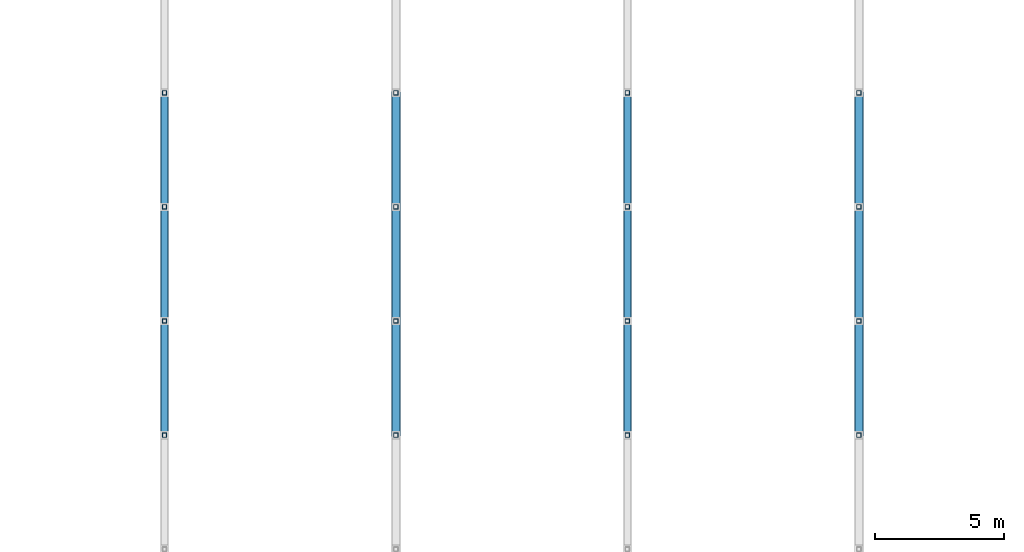
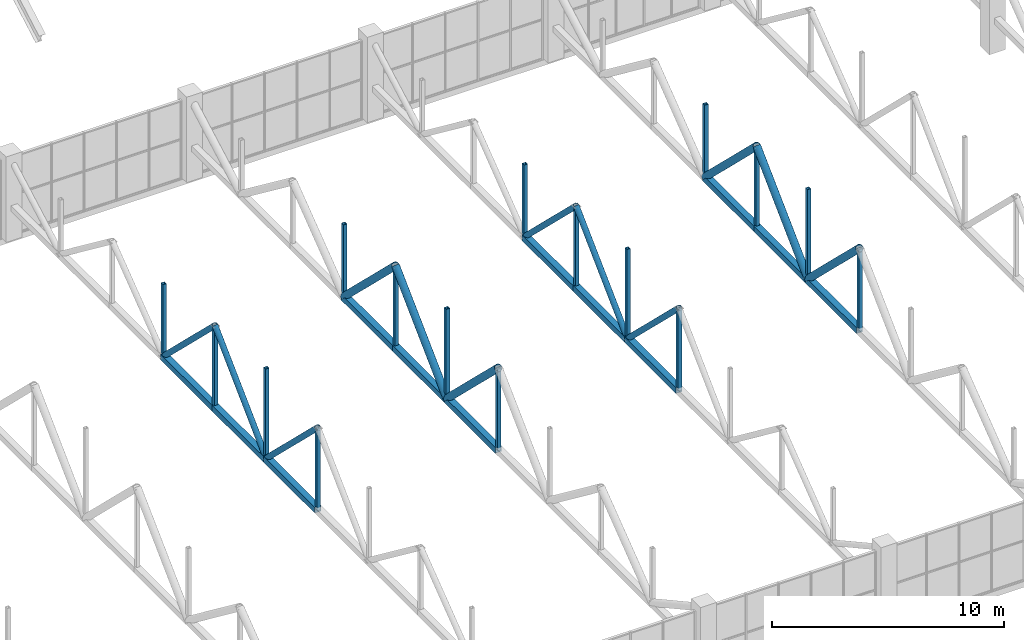
# One storey, part 55 of 103: 40 members.
"""IFC4 building model written with IfcOpenShell, lengths in metres."""

from ifc_helpers import new_model, si_unit, direction, frame, origin, origin_2d, place, context, subcontext, project, spatial, hollow_rectangle, hollow_circle, extrude, material, material_profile, profile_set, type_object, element, save


model = new_model("IFC4")

# Units and contexts
model_context = context("Model", 3, precision=1e-05, world=origin(), true_north=direction((0.0, 1.0)))
body_context = subcontext(model_context, "Body", "Model", "MODEL_VIEW")
ifc_project = project(units=[si_unit("LENGTHUNIT", "METRE"), si_unit("AREAUNIT", "SQUARE_METRE"), si_unit("VOLUMEUNIT", "CUBIC_METRE"), si_unit("PLANEANGLEUNIT", "RADIAN"), si_unit("MASSUNIT", "GRAM", prefix="KILO")], contexts=[model_context])

# Site, building, storey
site_placement = place(None, origin())
site = spatial("IfcSite", under=ifc_project, at=site_placement, CompositionType="ELEMENT")
building_placement = place(site_placement, origin())
building = spatial("IfcBuilding", under=site, at=building_placement, Name="Cazmaro Siding Exhibition Halls", CompositionType="ELEMENT")
storey_placement = place(building_placement, frame((0.0, 0.0, 16.5)))
storey = spatial("IfcBuildingStorey", under=building, at=storey_placement, Name="L03", CompositionType="ELEMENT", Elevation=16.5)

# Members
ifc_material_1 = material(Name="Steel ASTM A500 Grade C", Category="steel")
ifc_material_profile_1 = material_profile(ifc_material_1, hollow_rectangle(XDim=0.304931640625, YDim=0.304931640625, WallThickness=0.014892578125, at=origin_2d()), Name="HSS12X12X5/8")
ifc_profile_set_1 = profile_set([ifc_material_profile_1], Name="Steel ASTM A500 Grade C")
member_type_1 = type_object("IfcMemberType", Name="TC-02", PredefinedType="CHORD", material=ifc_profile_set_1)
for number, where, z_axis, x_axis, name in (
    (1, (162.0, 26.989990234375, 1.699951171875), (0.0, 1.0, 0.0), (-1.0, 0.0, 0.0), "Warren roof truss bottom chord TC-02 MEM-2705"),
    (2, (162.0, 31.425048828125, 1.699951171875), (0.0, 1.0, 0.0), (-1.0, 0.0, 0.0), "Warren roof truss bottom chord TC-02 MEM-2708"),
):
    element("IfcMember", number, at=place(storey_placement, frame(where, z_axis=z_axis, x_axis=x_axis)), inside=storey, type_object=member_type_1, Name=name, PredefinedType="CHORD", context=body_context, shape_type="SweptSolid", body=[
        extrude(hollow_rectangle(XDim=0.304931640625, YDim=0.304931640625, WallThickness=0.014892578125, at=origin_2d()), origin(), (0.0, 0.0, 1.0), 4.43505859375),
    ])
member_1_placement = place(storey_placement, frame((162.0, 35.860107421875, 1.699951171875), z_axis=(0.0, 1.0, 0.0), x_axis=(-1.0, 0.0, 0.0)))
element("IfcMember", 3, at=member_1_placement, inside=storey, type_object=member_type_1, Name="Warren roof truss bottom chord TC-02 MEM-2711", PredefinedType="CHORD", context=body_context, shape_type="SweptSolid", body=[
    extrude(hollow_rectangle(XDim=0.304931640625, YDim=0.304931640625, WallThickness=0.014892578125, at=origin_2d()), origin(), (0.0, 0.0, 1.0), 4.434814453125),
])
for number, where, z_axis, x_axis, name in (
    (4, (171.0, 26.989990234375, 1.699951171875), (0.0, 1.0, 0.0), (-1.0, 0.0, 0.0), "Warren roof truss bottom chord TC-02 MEM-2744"),
    (5, (171.0, 31.425048828125, 1.699951171875), (0.0, 1.0, 0.0), (-1.0, 0.0, 0.0), "Warren roof truss bottom chord TC-02 MEM-2747"),
):
    element("IfcMember", number, at=place(storey_placement, frame(where, z_axis=z_axis, x_axis=x_axis)), inside=storey, type_object=member_type_1, Name=name, PredefinedType="CHORD", context=body_context, shape_type="SweptSolid", body=[
        extrude(hollow_rectangle(XDim=0.304931640625, YDim=0.304931640625, WallThickness=0.014892578125, at=origin_2d()), origin(), (0.0, 0.0, 1.0), 4.43505859375),
    ])
member_2_placement = place(storey_placement, frame((171.0, 35.860107421875, 1.699951171875), z_axis=(0.0, 1.0, 0.0), x_axis=(-1.0, 0.0, 0.0)))
element("IfcMember", 6, at=member_2_placement, inside=storey, type_object=member_type_1, Name="Warren roof truss bottom chord TC-02 MEM-2750", PredefinedType="CHORD", context=body_context, shape_type="SweptSolid", body=[
    extrude(hollow_rectangle(XDim=0.304931640625, YDim=0.304931640625, WallThickness=0.014892578125, at=origin_2d()), origin(), (0.0, 0.0, 1.0), 4.434814453125),
])
for number, where, z_axis, x_axis, name in (
    (7, (180.0, 26.989990234375, 1.699951171875), (0.0, 1.0, 0.0), (-1.0, 0.0, 0.0), "Warren roof truss bottom chord TC-02 MEM-2783"),
    (8, (180.0, 31.425048828125, 1.699951171875), (0.0, 1.0, 0.0), (-1.0, 0.0, 0.0), "Warren roof truss bottom chord TC-02 MEM-2786"),
):
    element("IfcMember", number, at=place(storey_placement, frame(where, z_axis=z_axis, x_axis=x_axis)), inside=storey, type_object=member_type_1, Name=name, PredefinedType="CHORD", context=body_context, shape_type="SweptSolid", body=[
        extrude(hollow_rectangle(XDim=0.304931640625, YDim=0.304931640625, WallThickness=0.014892578125, at=origin_2d()), origin(), (0.0, 0.0, 1.0), 4.43505859375),
    ])
member_3_placement = place(storey_placement, frame((180.0, 35.860107421875, 1.699951171875), z_axis=(0.0, 1.0, 0.0), x_axis=(-1.0, 0.0, 0.0)))
element("IfcMember", 9, at=member_3_placement, inside=storey, type_object=member_type_1, Name="Warren roof truss bottom chord TC-02 MEM-2789", PredefinedType="CHORD", context=body_context, shape_type="SweptSolid", body=[
    extrude(hollow_rectangle(XDim=0.304931640625, YDim=0.304931640625, WallThickness=0.014892578125, at=origin_2d()), origin(), (0.0, 0.0, 1.0), 4.434814453125),
])
for number, where, z_axis, x_axis, name in (
    (10, (189.0, 26.989990234375, 1.699951171875), (0.0, 1.0, 0.0), (-1.0, 0.0, 0.0), "Warren roof truss bottom chord TC-02 MEM-2822"),
    (11, (189.0, 31.425048828125, 1.699951171875), (0.0, 1.0, 0.0), (-1.0, 0.0, 0.0), "Warren roof truss bottom chord TC-02 MEM-2825"),
):
    element("IfcMember", number, at=place(storey_placement, frame(where, z_axis=z_axis, x_axis=x_axis)), inside=storey, type_object=member_type_1, Name=name, PredefinedType="CHORD", context=body_context, shape_type="SweptSolid", body=[
        extrude(hollow_rectangle(XDim=0.304931640625, YDim=0.304931640625, WallThickness=0.014892578125, at=origin_2d()), origin(), (0.0, 0.0, 1.0), 4.43505859375),
    ])
member_4_placement = place(storey_placement, frame((189.0, 35.860107421875, 1.699951171875), z_axis=(0.0, 1.0, 0.0), x_axis=(-1.0, 0.0, 0.0)))
element("IfcMember", 12, at=member_4_placement, inside=storey, type_object=member_type_1, Name="Warren roof truss bottom chord TC-02 MEM-2828", PredefinedType="CHORD", context=body_context, shape_type="SweptSolid", body=[
    extrude(hollow_rectangle(XDim=0.304931640625, YDim=0.304931640625, WallThickness=0.014892578125, at=origin_2d()), origin(), (0.0, 0.0, 1.0), 4.434814453125),
])
ifc_material_2 = material(Name="Steel ASTM A500 Grade C", Category="steel")
ifc_material_profile_2 = material_profile(ifc_material_2, hollow_rectangle(XDim=0.177978515625, YDim=0.177978515625, WallThickness=0.011962890625, at=origin_2d()), Name="HSS7X7X1/2")
ifc_profile_set_2 = profile_set([ifc_material_profile_2], Name="Steel ASTM A500 Grade C")
member_type_2 = type_object("IfcMemberType", Name="TP-02", PredefinedType="POST", material=ifc_profile_set_2)
member_5_placement = place(storey_placement, frame((162.0, 26.989990234375, 1.699951171875), z_axis=(0.0, 0.0, 1.0), x_axis=(1.0, 0.0, 0.0)))
element("IfcMember", 13, at=member_5_placement, inside=storey, type_object=member_type_2, Name="Warren roof truss vertical TP-02 MEM-2725", PredefinedType="POST", context=body_context, shape_type="SweptSolid", body=[
    extrude(hollow_rectangle(XDim=0.177978515625, YDim=0.177978515625, WallThickness=0.011962890625, at=origin_2d()), origin(), (0.0, 0.0, 1.0), 4.304931640625),
])
member_6_placement = place(storey_placement, frame((162.0, 31.425048828125, 1.699951171875), z_axis=(0.0, 0.0, 1.0), x_axis=(1.0, 0.0, 0.0)))
element("IfcMember", 14, at=member_6_placement, inside=storey, type_object=member_type_2, Name="Warren roof truss vertical TP-02 MEM-2726", PredefinedType="POST", context=body_context, shape_type="SweptSolid", body=[
    extrude(hollow_rectangle(XDim=0.177978515625, YDim=0.177978515625, WallThickness=0.011962890625, at=origin_2d()), origin(), (0.0, 0.0, 1.0), 4.77099609375),
])
member_7_placement = place(storey_placement, frame((162.0, 35.860107421875, 1.699951171875), z_axis=(0.0, 0.0, 1.0), x_axis=(1.0, 0.0, 0.0)))
element("IfcMember", 15, at=member_7_placement, inside=storey, type_object=member_type_2, Name="Warren roof truss vertical TP-02 MEM-2727", PredefinedType="POST", context=body_context, shape_type="SweptSolid", body=[
    extrude(hollow_rectangle(XDim=0.177978515625, YDim=0.177978515625, WallThickness=0.011962890625, at=origin_2d()), origin(), (0.0, 0.0, 1.0), 4.304931640625),
])
member_8_placement = place(storey_placement, frame((162.0, 40.294921875, 1.699951171875), z_axis=(0.0, 0.0, 1.0), x_axis=(1.0, 0.0, 0.0)))
element("IfcMember", 16, at=member_8_placement, inside=storey, type_object=member_type_2, Name="Warren roof truss vertical TP-02 MEM-2728", PredefinedType="POST", context=body_context, shape_type="SweptSolid", body=[
    extrude(hollow_rectangle(XDim=0.177978515625, YDim=0.177978515625, WallThickness=0.011962890625, at=origin_2d()), origin(), (0.0, 0.0, 1.0), 3.839111328125),
])
member_9_placement = place(storey_placement, frame((171.0, 26.989990234375, 1.699951171875), z_axis=(0.0, 0.0, 1.0), x_axis=(1.0, 0.0, 0.0)))
element("IfcMember", 17, at=member_9_placement, inside=storey, type_object=member_type_2, Name="Warren roof truss vertical TP-02 MEM-2764", PredefinedType="POST", context=body_context, shape_type="SweptSolid", body=[
    extrude(hollow_rectangle(XDim=0.177978515625, YDim=0.177978515625, WallThickness=0.011962890625, at=origin_2d()), origin(), (0.0, 0.0, 1.0), 4.304931640625),
])
member_10_placement = place(storey_placement, frame((171.0, 31.425048828125, 1.699951171875), z_axis=(0.0, 0.0, 1.0), x_axis=(1.0, 0.0, 0.0)))
element("IfcMember", 18, at=member_10_placement, inside=storey, type_object=member_type_2, Name="Warren roof truss vertical TP-02 MEM-2765", PredefinedType="POST", context=body_context, shape_type="SweptSolid", body=[
    extrude(hollow_rectangle(XDim=0.177978515625, YDim=0.177978515625, WallThickness=0.011962890625, at=origin_2d()), origin(), (0.0, 0.0, 1.0), 4.77099609375),
])
member_11_placement = place(storey_placement, frame((171.0, 35.860107421875, 1.699951171875), z_axis=(0.0, 0.0, 1.0), x_axis=(1.0, 0.0, 0.0)))
element("IfcMember", 19, at=member_11_placement, inside=storey, type_object=member_type_2, Name="Warren roof truss vertical TP-02 MEM-2766", PredefinedType="POST", context=body_context, shape_type="SweptSolid", body=[
    extrude(hollow_rectangle(XDim=0.177978515625, YDim=0.177978515625, WallThickness=0.011962890625, at=origin_2d()), origin(), (0.0, 0.0, 1.0), 4.304931640625),
])
member_12_placement = place(storey_placement, frame((171.0, 40.294921875, 1.699951171875), z_axis=(0.0, 0.0, 1.0), x_axis=(1.0, 0.0, 0.0)))
element("IfcMember", 20, at=member_12_placement, inside=storey, type_object=member_type_2, Name="Warren roof truss vertical TP-02 MEM-2767", PredefinedType="POST", context=body_context, shape_type="SweptSolid", body=[
    extrude(hollow_rectangle(XDim=0.177978515625, YDim=0.177978515625, WallThickness=0.011962890625, at=origin_2d()), origin(), (0.0, 0.0, 1.0), 3.839111328125),
])
member_13_placement = place(storey_placement, frame((180.0, 26.989990234375, 1.699951171875), z_axis=(0.0, 0.0, 1.0), x_axis=(1.0, 0.0, 0.0)))
element("IfcMember", 21, at=member_13_placement, inside=storey, type_object=member_type_2, Name="Warren roof truss vertical TP-02 MEM-2803", PredefinedType="POST", context=body_context, shape_type="SweptSolid", body=[
    extrude(hollow_rectangle(XDim=0.177978515625, YDim=0.177978515625, WallThickness=0.011962890625, at=origin_2d()), origin(), (0.0, 0.0, 1.0), 4.304931640625),
])
member_14_placement = place(storey_placement, frame((180.0, 31.425048828125, 1.699951171875), z_axis=(0.0, 0.0, 1.0), x_axis=(1.0, 0.0, 0.0)))
element("IfcMember", 22, at=member_14_placement, inside=storey, type_object=member_type_2, Name="Warren roof truss vertical TP-02 MEM-2804", PredefinedType="POST", context=body_context, shape_type="SweptSolid", body=[
    extrude(hollow_rectangle(XDim=0.177978515625, YDim=0.177978515625, WallThickness=0.011962890625, at=origin_2d()), origin(), (0.0, 0.0, 1.0), 4.77099609375),
])
member_15_placement = place(storey_placement, frame((180.0, 35.860107421875, 1.699951171875), z_axis=(0.0, 0.0, 1.0), x_axis=(1.0, 0.0, 0.0)))
element("IfcMember", 23, at=member_15_placement, inside=storey, type_object=member_type_2, Name="Warren roof truss vertical TP-02 MEM-2805", PredefinedType="POST", context=body_context, shape_type="SweptSolid", body=[
    extrude(hollow_rectangle(XDim=0.177978515625, YDim=0.177978515625, WallThickness=0.011962890625, at=origin_2d()), origin(), (0.0, 0.0, 1.0), 4.304931640625),
])
member_16_placement = place(storey_placement, frame((180.0, 40.294921875, 1.699951171875), z_axis=(0.0, 0.0, 1.0), x_axis=(1.0, 0.0, 0.0)))
element("IfcMember", 24, at=member_16_placement, inside=storey, type_object=member_type_2, Name="Warren roof truss vertical TP-02 MEM-2806", PredefinedType="POST", context=body_context, shape_type="SweptSolid", body=[
    extrude(hollow_rectangle(XDim=0.177978515625, YDim=0.177978515625, WallThickness=0.011962890625, at=origin_2d()), origin(), (0.0, 0.0, 1.0), 3.839111328125),
])
member_17_placement = place(storey_placement, frame((189.0, 26.989990234375, 1.699951171875), z_axis=(0.0, 0.0, 1.0), x_axis=(1.0, 0.0, 0.0)))
element("IfcMember", 25, at=member_17_placement, inside=storey, type_object=member_type_2, Name="Warren roof truss vertical TP-02 MEM-2842", PredefinedType="POST", context=body_context, shape_type="SweptSolid", body=[
    extrude(hollow_rectangle(XDim=0.177978515625, YDim=0.177978515625, WallThickness=0.011962890625, at=origin_2d()), origin(), (0.0, 0.0, 1.0), 4.304931640625),
])
member_18_placement = place(storey_placement, frame((189.0, 31.425048828125, 1.699951171875), z_axis=(0.0, 0.0, 1.0), x_axis=(1.0, 0.0, 0.0)))
element("IfcMember", 26, at=member_18_placement, inside=storey, type_object=member_type_2, Name="Warren roof truss vertical TP-02 MEM-2843", PredefinedType="POST", context=body_context, shape_type="SweptSolid", body=[
    extrude(hollow_rectangle(XDim=0.177978515625, YDim=0.177978515625, WallThickness=0.011962890625, at=origin_2d()), origin(), (0.0, 0.0, 1.0), 4.77099609375),
])
member_19_placement = place(storey_placement, frame((189.0, 35.860107421875, 1.699951171875), z_axis=(0.0, 0.0, 1.0), x_axis=(1.0, 0.0, 0.0)))
element("IfcMember", 27, at=member_19_placement, inside=storey, type_object=member_type_2, Name="Warren roof truss vertical TP-02 MEM-2844", PredefinedType="POST", context=body_context, shape_type="SweptSolid", body=[
    extrude(hollow_rectangle(XDim=0.177978515625, YDim=0.177978515625, WallThickness=0.011962890625, at=origin_2d()), origin(), (0.0, 0.0, 1.0), 4.304931640625),
])
member_20_placement = place(storey_placement, frame((189.0, 40.294921875, 1.699951171875), z_axis=(0.0, 0.0, 1.0), x_axis=(1.0, 0.0, 0.0)))
element("IfcMember", 28, at=member_20_placement, inside=storey, type_object=member_type_2, Name="Warren roof truss vertical TP-02 MEM-2845", PredefinedType="POST", context=body_context, shape_type="SweptSolid", body=[
    extrude(hollow_rectangle(XDim=0.177978515625, YDim=0.177978515625, WallThickness=0.011962890625, at=origin_2d()), origin(), (0.0, 0.0, 1.0), 3.839111328125),
])
ifc_material_3 = material(Name="Steel ASTM A500 Grade C", Category="steel")
ifc_material_profile_3 = material_profile(ifc_material_3, hollow_circle(Radius=0.136474609375, WallThickness=0.012939453125, at=origin_2d()), Name="PIPE10XS")
ifc_profile_set_3 = profile_set([ifc_material_profile_3], Name="Steel ASTM A500 Grade C")
member_type_3 = type_object("IfcMemberType", Name="WB-02", PredefinedType="BRACE", material=ifc_profile_set_3)
for number, where, z_axis, x_axis, name in (
    (29, (162.0, 26.989990234375, 6.0048828125), (0.0, 0.717555143773, -0.696501698236), (-1.0, 0.0, 0.0), "Warren roof truss diagonal WB-02 MEM-2706"),
    (30, (162.0, 31.425048828125, 1.699951171875), (0.0, 0.717555143773, 0.696501698236), (-1.0, 0.0, 0.0), "Warren roof truss diagonal WB-02 MEM-2709"),
):
    element("IfcMember", number, at=place(storey_placement, frame(where, z_axis=z_axis, x_axis=x_axis)), inside=storey, type_object=member_type_3, Name=name, PredefinedType="BRACE", context=body_context, shape_type="SweptSolid", body=[
        extrude(hollow_circle(Radius=0.136474609375, WallThickness=0.012939453125, at=origin_2d()), origin(), (0.0, 0.0, 1.0), 6.180908203125),
    ])
member_21_placement = place(storey_placement, frame((162.0, 35.860107421875, 6.0048828125), z_axis=(0.0, 0.71753598098, -0.696521439726), x_axis=(-1.0, 0.0, 0.0)))
element("IfcMember", 31, at=member_21_placement, inside=storey, type_object=member_type_3, Name="Warren roof truss diagonal WB-02 MEM-2712", PredefinedType="BRACE", context=body_context, shape_type="SweptSolid", body=[
    extrude(hollow_circle(Radius=0.136474609375, WallThickness=0.012939453125, at=origin_2d()), origin(), (0.0, 0.0, 1.0), 6.1806640625),
])
for number, where, z_axis, x_axis, name in (
    (32, (180.0, 26.989990234375, 6.0048828125), (0.0, 0.717555143773, -0.696501698236), (-1.0, 0.0, 0.0), "Warren roof truss diagonal WB-02 MEM-2784"),
    (33, (180.0, 31.425048828125, 1.699951171875), (0.0, 0.717555143773, 0.696501698236), (-1.0, 0.0, 0.0), "Warren roof truss diagonal WB-02 MEM-2787"),
):
    element("IfcMember", number, at=place(storey_placement, frame(where, z_axis=z_axis, x_axis=x_axis)), inside=storey, type_object=member_type_3, Name=name, PredefinedType="BRACE", context=body_context, shape_type="SweptSolid", body=[
        extrude(hollow_circle(Radius=0.136474609375, WallThickness=0.012939453125, at=origin_2d()), origin(), (0.0, 0.0, 1.0), 6.180908203125),
    ])
member_22_placement = place(storey_placement, frame((180.0, 35.860107421875, 6.0048828125), z_axis=(0.0, 0.71753598098, -0.696521439726), x_axis=(-1.0, 0.0, 0.0)))
element("IfcMember", 34, at=member_22_placement, inside=storey, type_object=member_type_3, Name="Warren roof truss diagonal WB-02 MEM-2790", PredefinedType="BRACE", context=body_context, shape_type="SweptSolid", body=[
    extrude(hollow_circle(Radius=0.136474609375, WallThickness=0.012939453125, at=origin_2d()), origin(), (0.0, 0.0, 1.0), 6.1806640625),
])
ifc_material_4 = material(Name="Steel ASTM A500 Grade C", Category="steel")
ifc_material_profile_4 = material_profile(ifc_material_4, hollow_circle(Radius=0.177978515625, WallThickness=0.012939453125, at=origin_2d()), Name="PIPE14XS")
ifc_profile_set_4 = profile_set([ifc_material_profile_4], Name="Steel ASTM A500 Grade C")
member_type_4 = type_object("IfcMemberType", Name="WB-06", PredefinedType="BRACE", material=ifc_profile_set_4)
for number, where, z_axis, x_axis, name in (
    (35, (171.0, 26.989990234375, 6.0048828125), (0.0, 0.717555143773, -0.696501698236), (-1.0, 0.0, 0.0), "Warren roof truss diagonal WB-06 MEM-2745"),
    (36, (171.0, 31.425048828125, 1.699951171875), (0.0, 0.717555143773, 0.696501698236), (-1.0, 0.0, 0.0), "Warren roof truss diagonal WB-06 MEM-2748"),
):
    element("IfcMember", number, at=place(storey_placement, frame(where, z_axis=z_axis, x_axis=x_axis)), inside=storey, type_object=member_type_4, Name=name, PredefinedType="BRACE", context=body_context, shape_type="SweptSolid", body=[
        extrude(hollow_circle(Radius=0.177978515625, WallThickness=0.012939453125, at=origin_2d()), origin(), (0.0, 0.0, 1.0), 6.180908203125),
    ])
member_23_placement = place(storey_placement, frame((171.0, 35.860107421875, 6.0048828125), z_axis=(0.0, 0.71753598098, -0.696521439726), x_axis=(-1.0, 0.0, 0.0)))
element("IfcMember", 37, at=member_23_placement, inside=storey, type_object=member_type_4, Name="Warren roof truss diagonal WB-06 MEM-2751", PredefinedType="BRACE", context=body_context, shape_type="SweptSolid", body=[
    extrude(hollow_circle(Radius=0.177978515625, WallThickness=0.012939453125, at=origin_2d()), origin(), (0.0, 0.0, 1.0), 6.1806640625),
])
for number, where, z_axis, x_axis, name in (
    (38, (189.0, 26.989990234375, 6.0048828125), (0.0, 0.717555143773, -0.696501698236), (-1.0, 0.0, 0.0), "Warren roof truss diagonal WB-06 MEM-2823"),
    (39, (189.0, 31.425048828125, 1.699951171875), (0.0, 0.717555143773, 0.696501698236), (-1.0, 0.0, 0.0), "Warren roof truss diagonal WB-06 MEM-2826"),
):
    element("IfcMember", number, at=place(storey_placement, frame(where, z_axis=z_axis, x_axis=x_axis)), inside=storey, type_object=member_type_4, Name=name, PredefinedType="BRACE", context=body_context, shape_type="SweptSolid", body=[
        extrude(hollow_circle(Radius=0.177978515625, WallThickness=0.012939453125, at=origin_2d()), origin(), (0.0, 0.0, 1.0), 6.180908203125),
    ])
member_24_placement = place(storey_placement, frame((189.0, 35.860107421875, 6.0048828125), z_axis=(0.0, 0.71753598098, -0.696521439726), x_axis=(-1.0, 0.0, 0.0)))
element("IfcMember", 40, at=member_24_placement, inside=storey, type_object=member_type_4, Name="Warren roof truss diagonal WB-06 MEM-2829", PredefinedType="BRACE", context=body_context, shape_type="SweptSolid", body=[
    extrude(hollow_circle(Radius=0.177978515625, WallThickness=0.012939453125, at=origin_2d()), origin(), (0.0, 0.0, 1.0), 6.1806640625),
])

save(model, "model.ifc")
